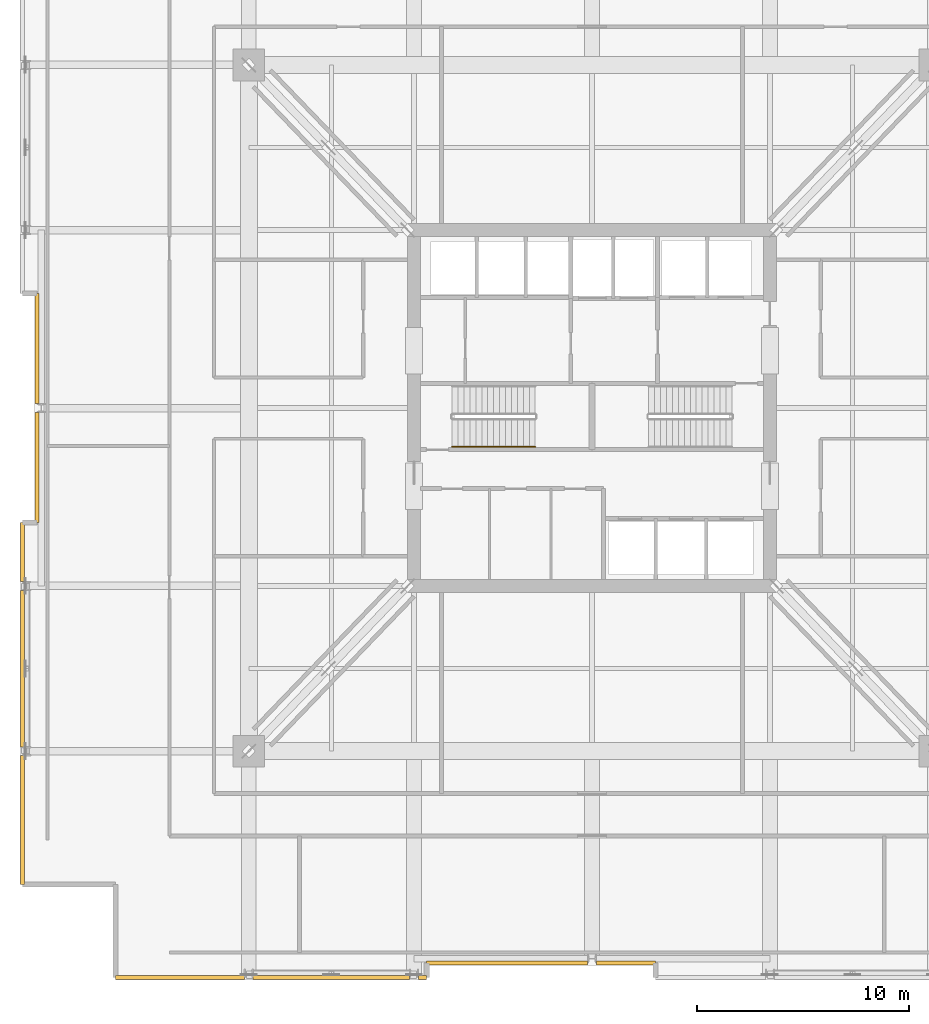
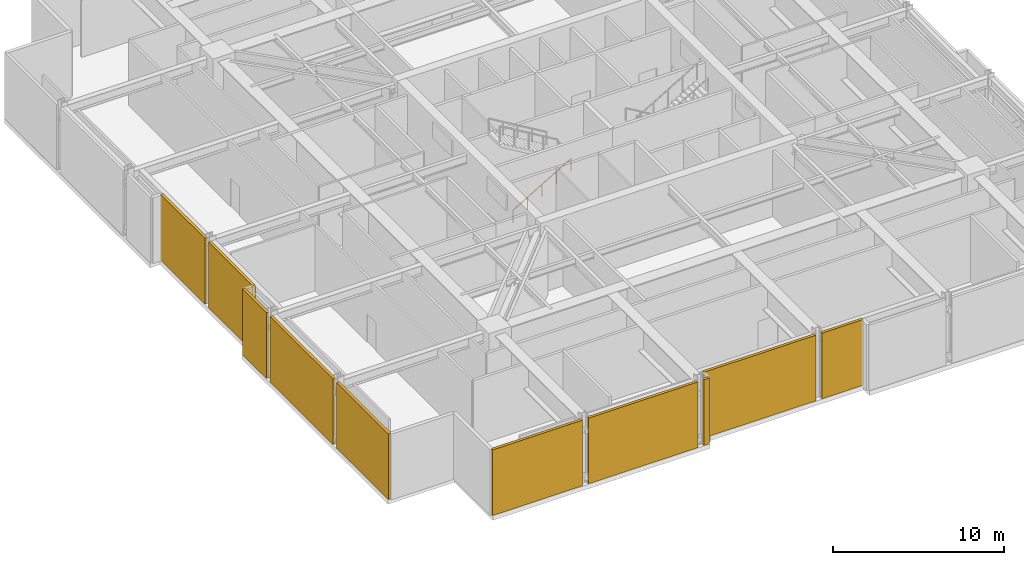
# One storey, part 10 of 13: 10 shading devices, 1 railing.
"""IFC4 building model written with IfcOpenShell, lengths in metres."""

from ifc_helpers import new_model, si_unit, direction, frame, origin, origin_2d, place, context, subcontext, project, spatial, rectangle, circle, extrude, material, layer, layer_set, type_object, element, save


model = new_model("IFC4")

# Units and contexts
model_context = context("Model", 3, precision=1e-05, world=origin(), true_north=direction((0.0, 1.0)))
body_context = subcontext(model_context, "Body", "Model", "MODEL_VIEW")
ifc_project = project(units=[si_unit("LENGTHUNIT", "METRE"), si_unit("AREAUNIT", "SQUARE_METRE"), si_unit("VOLUMEUNIT", "CUBIC_METRE"), si_unit("PLANEANGLEUNIT", "RADIAN"), si_unit("MASSUNIT", "GRAM", prefix="KILO")], contexts=[model_context])

# Site, building, storey
site_placement = place(None, origin())
site = spatial("IfcSite", under=ifc_project, at=site_placement, CompositionType="ELEMENT")
building_placement = place(site_placement, origin())
building = spatial("IfcBuilding", under=site, at=building_placement, Name="Drelvath Grand Hotel", CompositionType="ELEMENT")
storey_placement = place(building_placement, frame((0.0, 0.0, 140.800048828125)))
storey = spatial("IfcBuildingStorey", under=building, at=storey_placement, Name="L36", CompositionType="ELEMENT", Elevation=140.800048828125)

# Railing
ifc_material_1 = material(Name="Painted Steel S275", Category="steel")
railing_type = type_object("IfcRailingType", Name="Core Stair Wall Handrail 900", PredefinedType="HANDRAIL", material=ifc_material_1)
railing_placement = place(storey_placement, frame((-6.60009765625, 25.169921875, 0.16650390625)))
element("IfcRailing", 1, at=railing_placement, inside=storey, type_object=railing_type, Name="L36 ST-1 stair handrail 1", PredefinedType="HANDRAIL", context=body_context, shape_type="SweptSolid", body=[
    extrude(circle(Radius=0.02392578125, at=origin_2d()), frame((0.0, 0.0, 0.8759765625), z_axis=(0.859286724212, 0.0, 0.511494208758), x_axis=(0.0, 1.0, 0.0)), (0.0, 0.0, 1.0), 4.56201171875),
    extrude(circle(Radius=0.02099609375, at=origin_2d()), origin(), (0.0, 0.0, 1.0), 0.851806640625),
    extrude(circle(Radius=0.02099609375, at=origin_2d()), frame((0.97998046875, 0.0, 0.58349609375)), (0.0, 0.0, 1.0), 0.851806640625),
    extrude(circle(Radius=0.02099609375, at=origin_2d()), frame((1.9599609375, 0.0, 1.166748046875)), (0.0, 0.0, 1.0), 0.851806640625),
    extrude(circle(Radius=0.02099609375, at=origin_2d()), frame((2.940185546875, 0.0, 1.75)), (0.0, 0.0, 1.0), 0.851806640625),
    extrude(circle(Radius=0.02099609375, at=origin_2d()), frame((3.920166015625, 0.0, 2.33349609375)), (0.0, 0.0, 1.0), 0.851806640625),
])

# Shading devices
ifc_material_2 = material(Name="Pale-Metal Anodised Aluminium Louvre", Category="aluminium")
ifc_layer = layer(ifc_material_2, 0.179931640625)
ifc_layer_set = layer_set([ifc_layer], Name="Pale-Metal Anodised Aluminium Louvre")
shading_device_type = type_object("IfcShadingDeviceType", Name="Mechanical Acoustic Weather Louvre Pale-Metal 180", PredefinedType="USERDEFINED", material=ifc_layer_set)
shading_device_1_placement = place(storey_placement, frame((-26.8798828125, 7.54541015625, 0.0), z_axis=(0.0, 0.0, 1.0), x_axis=(0.0, 1.0, 0.0)))
element("IfcShadingDevice", 2, at=shading_device_1_placement, inside=storey, type_object=shading_device_type, Name="L36 Mechanical Plant Acoustic Louvre WS-1", ObjectType="LOUVRE", PredefinedType="USERDEFINED", context=body_context, shape_type="SweptSolid", body=[
    extrude(rectangle(XDim=6.090576171875, YDim=0.179931640625, at=origin_2d()), origin(), (0.0, 0.0, 1.0), 4.699951171875),
])
shading_device_2_placement = place(storey_placement, frame((-26.8798828125, 14.699951171875, 0.0), z_axis=(0.0, 0.0, 1.0), x_axis=(0.0, 1.0, 0.0)))
element("IfcShadingDevice", 3, at=shading_device_2_placement, inside=storey, type_object=shading_device_type, Name="L36 Mechanical Plant Acoustic Louvre WS-2", ObjectType="LOUVRE", PredefinedType="USERDEFINED", context=body_context, shape_type="SweptSolid", body=[
    extrude(rectangle(XDim=7.381103515625, YDim=0.179931640625, at=origin_2d()), origin(), (0.0, 0.0, 1.0), 4.699951171875),
])
shading_device_3_placement = place(storey_placement, frame((-26.8798828125, 20.20458984375, 0.0), z_axis=(0.0, 0.0, 1.0), x_axis=(0.0, 1.0, 0.0)))
element("IfcShadingDevice", 4, at=shading_device_3_placement, inside=storey, type_object=shading_device_type, Name="L36 Mechanical Plant Acoustic Louvre WS-3", ObjectType="LOUVRE", PredefinedType="USERDEFINED", context=body_context, shape_type="SweptSolid", body=[
    extrude(rectangle(XDim=2.79052734375, YDim=0.179931640625, at=origin_2d()), origin(), (0.0, 0.0, 1.0), 4.699951171875),
])
for number, where, z_axis, x_axis, name in (
    (5, (-26.199951171875, 24.1953125, 0.0), (0.0, 0.0, 1.0), (0.0, 1.0, 0.0), "L36 Mechanical Plant Acoustic Louvre WM-1"),
    (6, (-26.199951171875, 29.8046875, 0.0), (0.0, 0.0, 1.0), (0.0, 1.0, 0.0), "L36 Mechanical Plant Acoustic Louvre WM-2"),
):
    element("IfcShadingDevice", number, at=place(storey_placement, frame(where, z_axis=z_axis, x_axis=x_axis)), inside=storey, type_object=shading_device_type, Name=name, ObjectType="LOUVRE", PredefinedType="USERDEFINED", context=body_context, shape_type="SweptSolid", body=[
        extrude(rectangle(XDim=5.190673828125, YDim=0.179931640625, at=origin_2d()), origin(), (0.0, 0.0, 1.0), 4.699951171875),
    ])
shading_device_4_placement = place(storey_placement, frame((-4.004638671875, 0.800048828125, 0.0), z_axis=(0.0, 0.0, 1.0), x_axis=(1.0, 0.0, 0.0)))
element("IfcShadingDevice", 7, at=shading_device_4_placement, inside=storey, type_object=shading_device_type, Name="L36 Mechanical Plant Acoustic Louvre SM-1", ObjectType="LOUVRE", PredefinedType="USERDEFINED", context=body_context, shape_type="SweptSolid", body=[
    extrude(rectangle(XDim=7.590576171875, YDim=0.179931640625, at=origin_2d()), origin(), (0.0, 0.0, 1.0), 4.699951171875),
])
shading_device_5_placement = place(storey_placement, frame((1.604736328125, 0.800048828125, 0.0), z_axis=(0.0, 0.0, 1.0), x_axis=(1.0, 0.0, 0.0)))
element("IfcShadingDevice", 8, at=shading_device_5_placement, inside=storey, type_object=shading_device_type, Name="L36 Mechanical Plant Acoustic Louvre SM-2", ObjectType="LOUVRE", PredefinedType="USERDEFINED", context=body_context, shape_type="SweptSolid", body=[
    extrude(rectangle(XDim=2.79052734375, YDim=0.179931640625, at=origin_2d()), origin(), (0.0, 0.0, 1.0), 4.699951171875),
])
shading_device_6_placement = place(storey_placement, frame((-19.45458984375, 0.1201171875, 0.0), z_axis=(0.0, 0.0, 1.0), x_axis=(1.0, 0.0, 0.0)))
element("IfcShadingDevice", 9, at=shading_device_6_placement, inside=storey, type_object=shading_device_type, Name="L36 Mechanical Plant Acoustic Louvre SW-1", ObjectType="LOUVRE", PredefinedType="USERDEFINED", context=body_context, shape_type="SweptSolid", body=[
    extrude(rectangle(XDim=6.090576171875, YDim=0.179931640625, at=origin_2d()), origin(), (0.0, 0.0, 1.0), 4.699951171875),
])
shading_device_7_placement = place(storey_placement, frame((-12.300048828125, 0.1201171875, 0.0), z_axis=(0.0, 0.0, 1.0), x_axis=(1.0, 0.0, 0.0)))
element("IfcShadingDevice", 10, at=shading_device_7_placement, inside=storey, type_object=shading_device_type, Name="L36 Mechanical Plant Acoustic Louvre SW-2", ObjectType="LOUVRE", PredefinedType="USERDEFINED", context=body_context, shape_type="SweptSolid", body=[
    extrude(rectangle(XDim=7.381103515625, YDim=0.179931640625, at=origin_2d()), origin(), (0.0, 0.0, 1.0), 4.699951171875),
])
shading_device_8_placement = place(storey_placement, frame((-7.995361328125, 0.1201171875, 0.0), z_axis=(0.0, 0.0, 1.0), x_axis=(1.0, 0.0, 0.0)))
element("IfcShadingDevice", 11, at=shading_device_8_placement, inside=storey, type_object=shading_device_type, Name="L36 Mechanical Plant Acoustic Louvre SW-3", ObjectType="LOUVRE", PredefinedType="USERDEFINED", context=body_context, shape_type="SweptSolid", body=[
    extrude(rectangle(XDim=0.390625, YDim=0.179931640625, at=origin_2d()), origin(), (0.0, 0.0, 1.0), 4.699951171875),
])

save(model, "model.ifc")
